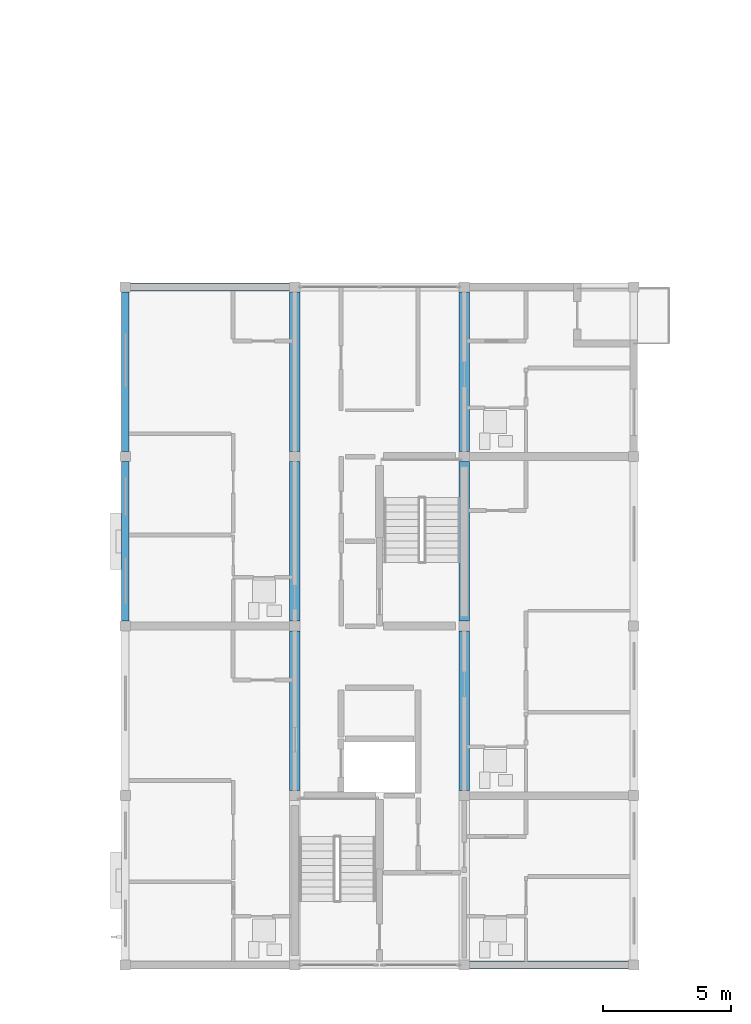
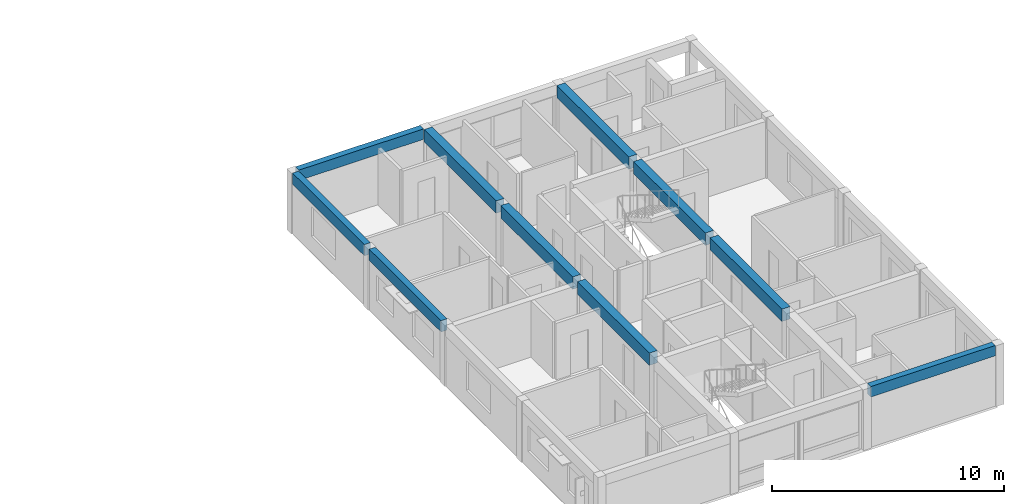
# One storey, part 12 of 49: 10 beams.
"""IFC4 building model written with IfcOpenShell, lengths in metres."""

from ifc_helpers import new_model, si_unit, direction, frame, origin, origin_2d, place, context, subcontext, project, spatial, rectangle, extrude, material, material_profile, profile_set, type_object, element, save


model = new_model("IFC4")

# Units and contexts
model_context = context("Model", 3, precision=1e-05, world=origin(), true_north=direction((0.0, 1.0)))
body_context = subcontext(model_context, "Body", "Model", "MODEL_VIEW")
ifc_project = project(units=[si_unit("LENGTHUNIT", "METRE"), si_unit("AREAUNIT", "SQUARE_METRE"), si_unit("VOLUMEUNIT", "CUBIC_METRE"), si_unit("PLANEANGLEUNIT", "RADIAN"), si_unit("MASSUNIT", "GRAM", prefix="KILO")], contexts=[model_context])

# Site, building, storey
site_placement = place(None, origin())
site = spatial("IfcSite", under=ifc_project, at=site_placement, CompositionType="ELEMENT")
building_placement = place(site_placement, origin())
building = spatial("IfcBuilding", under=site, at=building_placement, Name="Kernevlak Ridge Housing Community", CompositionType="ELEMENT")
storey_placement = place(building_placement, frame((0.0, 0.0, 30.800048828125)))
storey = spatial("IfcBuildingStorey", under=building, at=storey_placement, Name="L09", CompositionType="ELEMENT", Elevation=30.800048828125)

# Beams
ifc_material = material(Name="Concrete C35/45", Category="concrete")
ifc_material_profile_1 = material_profile(ifc_material, rectangle(XDim=0.39990234375, YDim=0.64990234375, at=origin_2d()), Name="RC 400x650")
ifc_profile_set_1 = profile_set([ifc_material_profile_1], Name="Concrete C35/45")
beam_type_1 = type_object("IfcBeamType", Name="B-03", PredefinedType="T_BEAM", material=ifc_profile_set_1)
beam_1_placement = place(storey_placement, frame((132.60009765625, 22.39990234375, 2.875), z_axis=(0.0, 1.0, 0.0), x_axis=(-1.0, 0.0, 0.0)))
element("IfcBeam", 1, at=beam_1_placement, inside=storey, type_object=beam_type_1, Name="Beam B-03 L09 1205", PredefinedType="T_BEAM", context=body_context, shape_type="SweptSolid", body=[
    extrude(rectangle(XDim=0.39990234375, YDim=0.64990234375, at=origin_2d()), origin(), (0.0, 0.0, 1.0), 6.2001953125),
])
for number, where, z_axis, x_axis, name in (
    (2, (132.60009765625, 29.0, 2.875), (0.0, 1.0, 0.0), (-1.0, 0.0, 0.0), "Beam B-03 L09 1206"),
    (3, (132.60009765625, 35.60009765625, 2.875), (0.0, 1.0, 0.0), (-1.0, 0.0, 0.0), "Beam B-03 L09 1207"),
):
    element("IfcBeam", number, at=place(storey_placement, frame(where, z_axis=z_axis, x_axis=x_axis)), inside=storey, type_object=beam_type_1, Name=name, PredefinedType="T_BEAM", context=body_context, shape_type="SweptSolid", body=[
        extrude(rectangle(XDim=0.39990234375, YDim=0.64990234375, at=origin_2d()), origin(), (0.0, 0.0, 1.0), 6.199951171875),
    ])
beam_2_placement = place(storey_placement, frame((139.199951171875, 22.39990234375, 2.875), z_axis=(0.0, 1.0, 0.0), x_axis=(-1.0, 0.0, 0.0)))
element("IfcBeam", 4, at=beam_2_placement, inside=storey, type_object=beam_type_1, Name="Beam B-03 L09 1209", PredefinedType="T_BEAM", context=body_context, shape_type="SweptSolid", body=[
    extrude(rectangle(XDim=0.39990234375, YDim=0.64990234375, at=origin_2d()), origin(), (0.0, 0.0, 1.0), 6.2001953125),
])
for number, where, z_axis, x_axis, name in (
    (5, (139.199951171875, 29.0, 2.875), (0.0, 1.0, 0.0), (-1.0, 0.0, 0.0), "Beam B-03 L09 1210"),
    (6, (139.199951171875, 35.60009765625, 2.875), (0.0, 1.0, 0.0), (-1.0, 0.0, 0.0), "Beam B-03 L09 1211"),
):
    element("IfcBeam", number, at=place(storey_placement, frame(where, z_axis=z_axis, x_axis=x_axis)), inside=storey, type_object=beam_type_1, Name=name, PredefinedType="T_BEAM", context=body_context, shape_type="SweptSolid", body=[
        extrude(rectangle(XDim=0.39990234375, YDim=0.64990234375, at=origin_2d()), origin(), (0.0, 0.0, 1.0), 6.199951171875),
    ])
ifc_material_profile_2 = material_profile(ifc_material, rectangle(XDim=0.300048828125, YDim=0.550048828125, at=origin_2d()), Name="RC 300x550")
ifc_profile_set_2 = profile_set([ifc_material_profile_2], Name="Concrete C35/45")
beam_type_2 = type_object("IfcBeamType", Name="SP-01", PredefinedType="SPANDREL", material=ifc_profile_set_2)
beam_3_placement = place(storey_placement, frame((139.39990234375, 15.60009765625, 2.925048828125), z_axis=(1.0, 0.0, 0.0), x_axis=(0.0, 1.0, 0.0)))
element("IfcBeam", 7, at=beam_3_placement, inside=storey, type_object=beam_type_2, Name="Beam SP-01 L09 1218", PredefinedType="SPANDREL", context=body_context, shape_type="SweptSolid", body=[
    extrude(rectangle(XDim=0.300048828125, YDim=0.550048828125, at=origin_2d()), origin(), (0.0, 0.0, 1.0), 6.2001953125),
])
beam_4_placement = place(storey_placement, frame((126.199951171875, 42.0, 2.925048828125), z_axis=(1.0, 0.0, 0.0), x_axis=(0.0, 1.0, 0.0)))
element("IfcBeam", 8, at=beam_4_placement, inside=storey, type_object=beam_type_2, Name="Beam SP-01 L09 1219", PredefinedType="SPANDREL", context=body_context, shape_type="SweptSolid", body=[
    extrude(rectangle(XDim=0.300048828125, YDim=0.550048828125, at=origin_2d()), origin(), (0.0, 0.0, 1.0), 6.199951171875),
])
ifc_material_profile_3 = material_profile(ifc_material, rectangle(XDim=0.300048828125, YDim=0.60009765625, at=origin_2d()), Name="RC 300x600")
ifc_profile_set_3 = profile_set([ifc_material_profile_3], Name="Concrete C35/45")
beam_type_3 = type_object("IfcBeamType", Name="SP-02", PredefinedType="SPANDREL", material=ifc_profile_set_3)
for number, where, z_axis, x_axis, name in (
    (9, (126.0, 29.0, 2.89990234375), (0.0, 1.0, 0.0), (-1.0, 0.0, 0.0), "Beam SP-02 L09 1202"),
    (10, (126.0, 35.60009765625, 2.89990234375), (0.0, 1.0, 0.0), (-1.0, 0.0, 0.0), "Beam SP-02 L09 1203"),
):
    element("IfcBeam", number, at=place(storey_placement, frame(where, z_axis=z_axis, x_axis=x_axis)), inside=storey, type_object=beam_type_3, Name=name, PredefinedType="SPANDREL", context=body_context, shape_type="SweptSolid", body=[
        extrude(rectangle(XDim=0.300048828125, YDim=0.60009765625, at=origin_2d()), origin(), (0.0, 0.0, 1.0), 6.199951171875),
    ])

save(model, "model.ifc")
